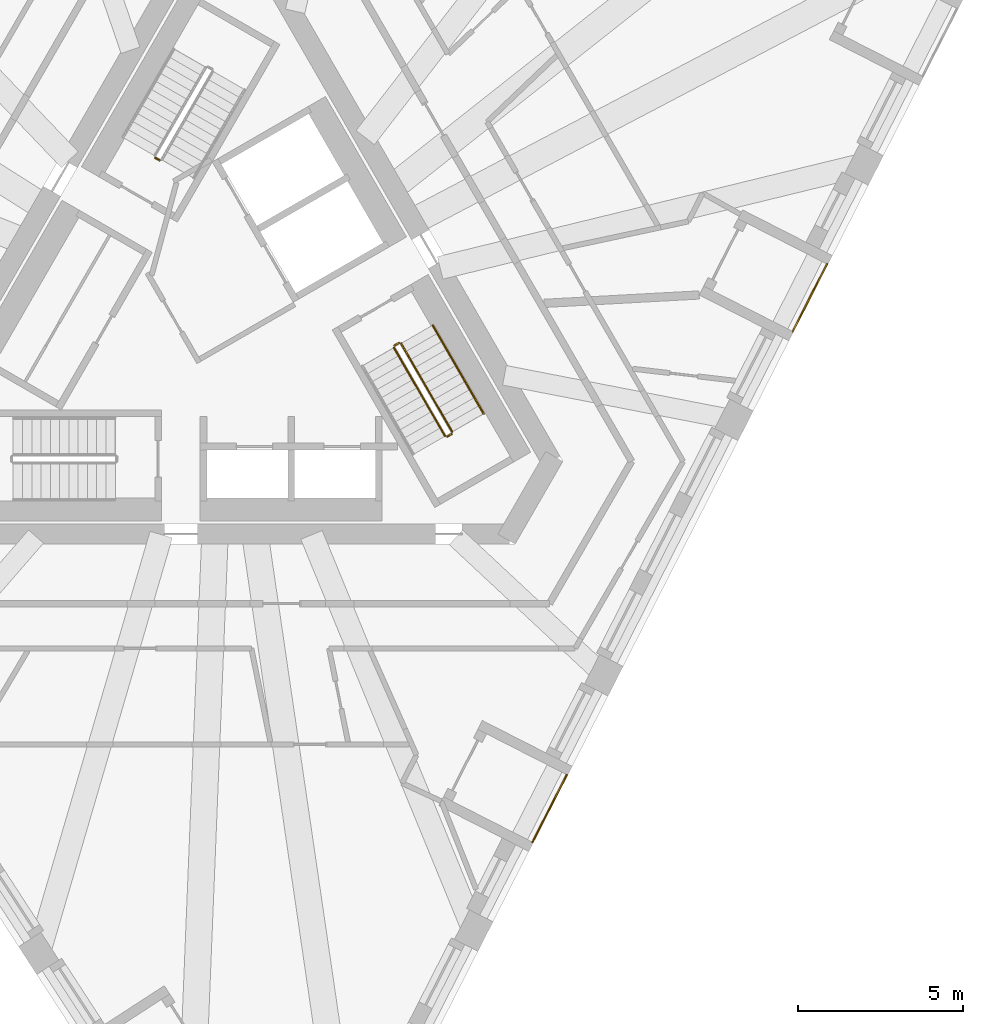
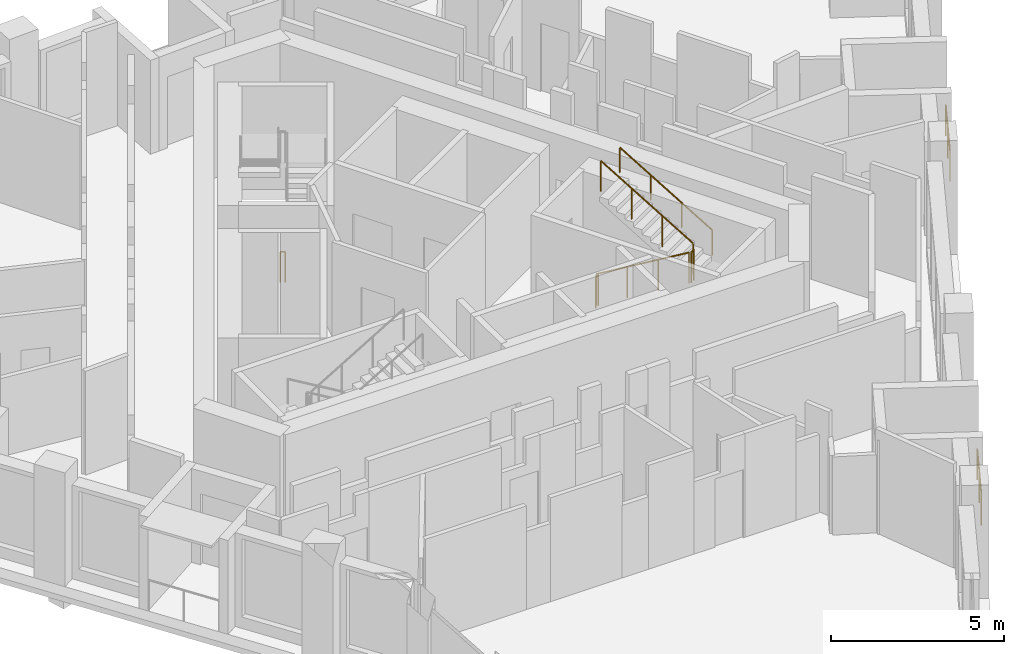
# One storey, part 10 of 12: 8 railings.
"""IFC4 building model written with IfcOpenShell, lengths in metres."""

from ifc_helpers import new_model, si_unit, direction, frame, origin, origin_2d, place, context, subcontext, project, spatial, circle, extrude, material, type_object, element, save


model = new_model("IFC4")

# Units and contexts
model_context = context("Model", 3, precision=1e-05, world=origin(), true_north=direction((0.0, 1.0)))
body_context = subcontext(model_context, "Body", "Model", "MODEL_VIEW")
ifc_project = project(units=[si_unit("LENGTHUNIT", "METRE"), si_unit("AREAUNIT", "SQUARE_METRE"), si_unit("VOLUMEUNIT", "CUBIC_METRE"), si_unit("PLANEANGLEUNIT", "RADIAN"), si_unit("MASSUNIT", "GRAM", prefix="KILO")], contexts=[model_context])

# Site, building, storey
site_placement = place(None, origin())
site = spatial("IfcSite", under=ifc_project, at=site_placement, CompositionType="ELEMENT")
building_placement = place(site_placement, origin())
building = spatial("IfcBuilding", under=site, at=building_placement, Name="Tramontana Tower", CompositionType="ELEMENT")
storey_placement = place(building_placement, frame((0.0, 0.0, 302.39990234375)))
storey = spatial("IfcBuildingStorey", under=building, at=storey_placement, Name="L71", CompositionType="ELEMENT", Elevation=302.39990234375)

# Railings
ifc_material_1 = material(Name="Laminated glass balustrade", Category="glass")
railing_type_1 = type_object("IfcRailingType", Name="GD1 Loggia glass balustrade 1100", PredefinedType="BALUSTRADE", material=ifc_material_1)
railing_1_placement = place(storey_placement, frame((9.3330078125, -15.75830078125, 0.0)))
element("IfcRailing", 1, at=railing_1_placement, inside=storey, type_object=railing_type_1, Name="Loggia balustrade L71 G7S1.4", PredefinedType="BALUSTRADE", context=body_context, shape_type="SweptSolid", body=[
    extrude(circle(Radius=0.02392578125, at=origin_2d()), frame((0.0, 0.0, 1.076171875), z_axis=(0.45403292632, 0.890984905494, 0.0), x_axis=(-0.890984905494, 0.45403292632, 0.0)), (0.0, 0.0, 1.0), 2.286865234375),
    extrude(circle(Radius=0.02099609375, at=origin_2d()), origin(), (0.0, 0.0, 1.0), 1.052001953125),
    extrude(circle(Radius=0.02099609375, at=origin_2d()), frame((0.51904296875, 1.018798828125, 0.0)), (0.0, 0.0, 1.0), 1.052001953125),
    extrude(circle(Radius=0.02099609375, at=origin_2d()), frame((1.038330078125, 2.03759765625, 0.0)), (0.0, 0.0, 1.0), 1.052001953125),
])
railing_2_placement = place(storey_placement, frame((17.196533203125, -0.32568359375, 0.0)))
element("IfcRailing", 2, at=railing_2_placement, inside=storey, type_object=railing_type_1, Name="Loggia balustrade L71 G7S1.10", PredefinedType="BALUSTRADE", context=body_context, shape_type="SweptSolid", body=[
    extrude(circle(Radius=0.02392578125, at=origin_2d()), frame((0.0, 0.0, 1.076171875), z_axis=(0.453948171533, 0.89102809022, 0.0), x_axis=(-0.89102809022, 0.453948171533, 0.0)), (0.0, 0.0, 1.0), 2.286865234375),
    extrude(circle(Radius=0.02099609375, at=origin_2d()), origin(), (0.0, 0.0, 1.0), 1.052001953125),
    extrude(circle(Radius=0.02099609375, at=origin_2d()), frame((0.51904296875, 1.018798828125, 0.0)), (0.0, 0.0, 1.0), 1.052001953125),
    extrude(circle(Radius=0.02099609375, at=origin_2d()), frame((1.0380859375, 2.03759765625, 0.0)), (0.0, 0.0, 1.0), 1.052001953125),
])
ifc_material_2 = material(Name="Painted steel", Category="steel")
railing_type_2 = type_object("IfcRailingType", Name="STAIR GUARD 1100", PredefinedType="GUARDRAIL", material=ifc_material_2)
railing_3_placement = place(storey_placement, frame((-1.935791015625, 4.84716796875, 0.0)))
element("IfcRailing", 3, at=railing_3_placement, inside=storey, type_object=railing_type_2, Name="L71 ST1 stair guard 4", PredefinedType="GUARDRAIL", context=body_context, shape_type="SweptSolid", body=[
    extrude(circle(Radius=0.02392578125, at=origin_2d()), frame((0.0, 0.0, 1.076171875), z_axis=(-0.865426285481, 0.501036270542, 0.0), x_axis=(-0.501036270542, -0.865426285481, 0.0)), (0.0, 0.0, 1.0), 0.150146484375),
    extrude(circle(Radius=0.02099609375, at=origin_2d()), origin(), (0.0, 0.0, 1.0), 1.052001953125),
    extrude(circle(Radius=0.02099609375, at=origin_2d()), frame((-0.1298828125, 0.0751953125, 0.0)), (0.0, 0.0, 1.0), 1.052001953125),
])
railing_4_placement = place(storey_placement, frame((5.1474609375, -0.815673828125, 0.166748046875)))
element("IfcRailing", 4, at=railing_4_placement, inside=storey, type_object=railing_type_2, Name="L71 ST3 stair guard 1", PredefinedType="GUARDRAIL", context=body_context, shape_type="SweptSolid", body=[
    extrude(circle(Radius=0.02392578125, at=origin_2d()), frame((0.0, 0.0, 1.076171875), z_axis=(0.429671193721, -0.744159446956, 0.511477646425), x_axis=(0.866010015463, 0.500026652407, 0.0)), (0.0, 0.0, 1.0), 3.584228515625),
    extrude(circle(Radius=0.02099609375, at=origin_2d()), origin(), (0.0, 0.0, 1.0), 1.052001953125),
    extrude(circle(Radius=0.02099609375, at=origin_2d()), frame((0.513427734375, -0.88916015625, 0.611083984375)), (0.0, 0.0, 1.0), 1.052001953125),
    extrude(circle(Radius=0.02099609375, at=origin_2d()), frame((1.026611328125, -1.778076171875, 1.22216796875)), (0.0, 0.0, 1.0), 1.052001953125),
    extrude(circle(Radius=0.02099609375, at=origin_2d()), frame((1.5400390625, -2.667236328125, 1.833251953125)), (0.0, 0.0, 1.0), 1.052001953125),
])
railing_5_placement = place(storey_placement, frame((6.90380859375, -3.35791015625, 2.166748046875)))
element("IfcRailing", 5, at=railing_5_placement, inside=storey, type_object=railing_type_2, Name="L71 ST3 stair guard 2", PredefinedType="GUARDRAIL", context=body_context, shape_type="SweptSolid", body=[
    extrude(circle(Radius=0.02392578125, at=origin_2d()), frame((0.0, 0.0, 1.076171875), z_axis=(-0.429615651263, 0.74418122563, 0.511492615401), x_axis=(-0.866044340336, -0.499967199496, 0.0)), (0.0, 0.0, 1.0), 3.584228515625),
    extrude(circle(Radius=0.02099609375, at=origin_2d()), origin(), (0.0, 0.0, 1.0), 1.052001953125),
    extrude(circle(Radius=0.02099609375, at=origin_2d()), frame((-0.51318359375, 0.88916015625, 0.611083984375)), (0.0, 0.0, 1.0), 1.052001953125),
    extrude(circle(Radius=0.02099609375, at=origin_2d()), frame((-1.026611328125, 1.778076171875, 1.22216796875)), (0.0, 0.0, 1.0), 1.052001953125),
    extrude(circle(Radius=0.02099609375, at=origin_2d()), frame((-1.539794921875, 2.667236328125, 1.833251953125)), (0.0, 0.0, 1.0), 1.052001953125),
])
for number, where, name in (
    (6, (6.755615234375, -3.501220703125, 2.0), "L71 ST3 stair guard 3"),
    (7, (5.165771484375, -0.747314453125, 0.0), "L71 ST3 stair guard 4"),
):
    element("IfcRailing", number, at=place(storey_placement, frame(where)), inside=storey, type_object=railing_type_2, Name=name, PredefinedType="GUARDRAIL", context=body_context, shape_type="SweptSolid", body=[
        extrude(circle(Radius=0.02392578125, at=origin_2d()), frame((0.0, 0.0, 1.076171875), z_axis=(0.866131372301, 0.499816412211, 0.0), x_axis=(-0.499816412211, 0.866131372301, 0.0)), (0.0, 0.0, 1.0), 0.14990234375),
        extrude(circle(Radius=0.02099609375, at=origin_2d()), origin(), (0.0, 0.0, 1.0), 1.052001953125),
        extrude(circle(Radius=0.02099609375, at=origin_2d()), frame((0.1298828125, 0.074951171875, 0.0)), (0.0, 0.0, 1.0), 1.052001953125),
    ])
ifc_material_3 = material(Name="Painted steel", Category="steel")
railing_type_3 = type_object("IfcRailingType", Name="STAIR HANDRAIL 900", PredefinedType="HANDRAIL", material=ifc_material_3)
railing_6_placement = place(storey_placement, frame((7.8564453125, -2.807861328125, 2.166748046875)))
element("IfcRailing", 8, at=railing_6_placement, inside=storey, type_object=railing_type_3, Name="L71 ST3 stair handrail 2", PredefinedType="HANDRAIL", context=body_context, shape_type="SweptSolid", body=[
    extrude(circle(Radius=0.02392578125, at=origin_2d()), frame((0.0, 0.0, 0.8759765625), z_axis=(-0.429615651263, 0.74418122563, 0.511492615401), x_axis=(-0.866044340336, -0.499967199496, 0.0)), (0.0, 0.0, 1.0), 3.584228515625),
    extrude(circle(Radius=0.02099609375, at=origin_2d()), origin(), (0.0, 0.0, 1.0), 0.851806640625),
    extrude(circle(Radius=0.02099609375, at=origin_2d()), frame((-0.51318359375, 0.88916015625, 0.611083984375)), (0.0, 0.0, 1.0), 0.851806640625),
    extrude(circle(Radius=0.02099609375, at=origin_2d()), frame((-1.026611328125, 1.778076171875, 1.22216796875)), (0.0, 0.0, 1.0), 0.851806640625),
    extrude(circle(Radius=0.02099609375, at=origin_2d()), frame((-1.539794921875, 2.667236328125, 1.833251953125)), (0.0, 0.0, 1.0), 0.851806640625),
])

save(model, "model.ifc")
